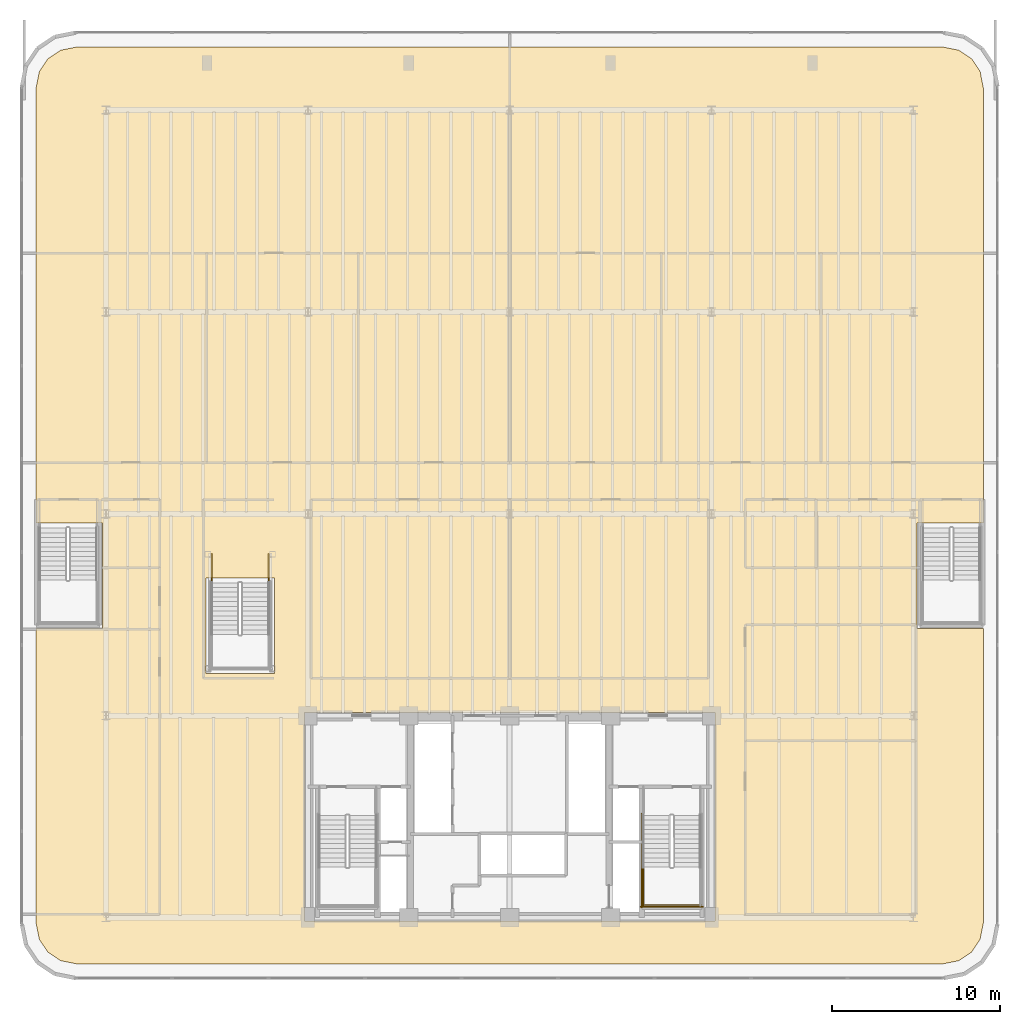
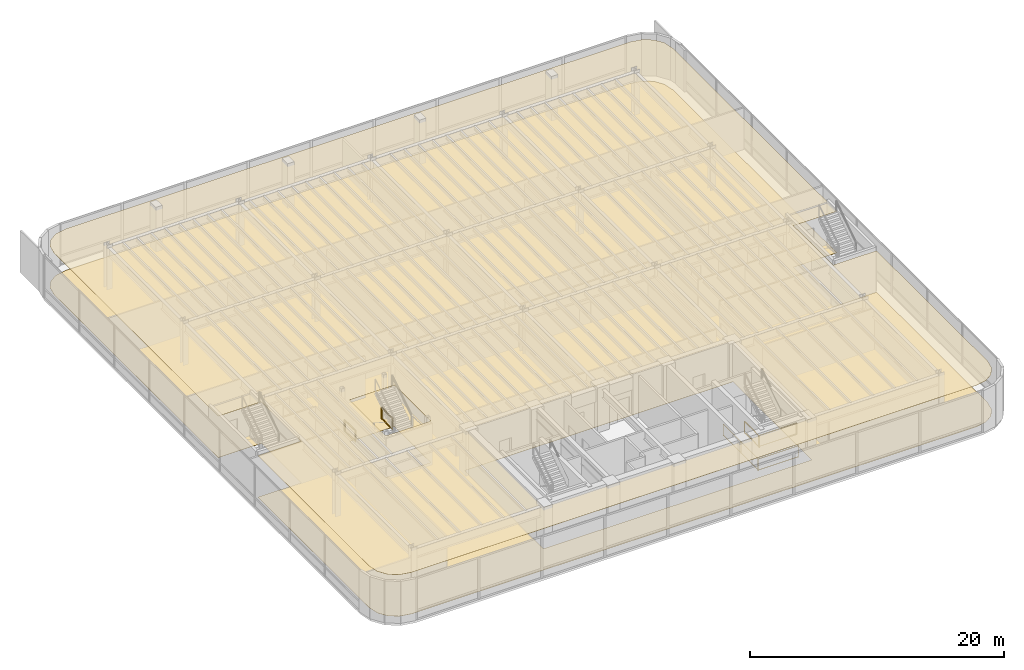
# One storey, part 17 of 18: 6 railings, 2 coverings.
"""IFC4 building model written with IfcOpenShell, lengths in metres."""

from ifc_helpers import new_model, si_unit, direction, frame, origin, origin_2d, place, context, subcontext, project, spatial, polyline, rectangle, outline, extrude, material, layer, layer_set, type_object, element, save


model = new_model("IFC4")

# Units and contexts
model_context = context("Model", 3, precision=1e-05, world=origin(), true_north=direction((0.0, 1.0)))
body_context = subcontext(model_context, "Body", "Model", "MODEL_VIEW")
ifc_project = project(units=[si_unit("LENGTHUNIT", "METRE"), si_unit("AREAUNIT", "SQUARE_METRE"), si_unit("VOLUMEUNIT", "CUBIC_METRE"), si_unit("PLANEANGLEUNIT", "RADIAN"), si_unit("MASSUNIT", "GRAM", prefix="KILO")], contexts=[model_context])

# Site, building, storey
site_placement = place(None, origin())
site = spatial("IfcSite", under=ifc_project, at=site_placement, CompositionType="ELEMENT")
building_placement = place(site_placement, origin())
building = spatial("IfcBuilding", under=site, at=building_placement, Name="Brelvock Crest Care Tower", CompositionType="ELEMENT")
storey_placement = place(building_placement, frame((0.0, 0.0, 5.39990234375)))
storey = spatial("IfcBuildingStorey", under=building, at=storey_placement, Name="L01", CompositionType="ELEMENT", Elevation=5.39990234375)

# Coverings
ifc_material_1 = material(Name="Mineral Fibre Acoustic Ceiling Tile", Category="gypsum")
ifc_layer_1 = layer(ifc_material_1, 0.02490234375, Name="COV-CLG1")
ifc_layer_set_1 = layer_set([ifc_layer_1], Name="Mineral Fibre Acoustic Ceiling Tile")
covering_type_1 = type_object("IfcCoveringType", Name="COV-CLG1", PredefinedType="CEILING", material=ifc_layer_set_1)
covering_1_placement = place(storey_placement, frame((0.0, 0.0, 3.985107421875)))
element("IfcCovering", 1, at=covering_1_placement, inside=storey, type_object=covering_type_1, Name="L01 Acoustic Suspended Ceiling 1", PredefinedType="CEILING", context=body_context, shape_type="SweptSolid", body=[
    extrude(outline(polyline([(61.71630859375, 3.25), (62.69287109375, 3.4443359375), (63.449951171875, 3.9501953125), (63.955810546875, 4.70703125), (64.14990234375, 5.68359375), (64.14990234375, 23.199951171875), (60.2099609375, 23.199951171875), (60.2099609375, 29.449951171875), (64.14990234375, 29.449951171875), (64.14990234375, 55.31640625), (63.955810546875, 56.29296875), (63.449951171875, 57.0498046875), (62.69287109375, 57.5556640625), (61.71630859375, 57.75), (10.28369140625, 57.75), (9.30712890625, 57.5556640625), (8.550048828125, 57.0498046875), (8.044189453125, 56.29296875), (7.85009765625, 55.31640625), (7.85009765625, 29.449951171875), (11.7900390625, 29.449951171875), (11.7900390625, 23.199951171875), (7.85009765625, 23.199951171875), (7.85009765625, 5.68359375), (8.044189453125, 4.70703125), (8.550048828125, 3.9501953125), (9.30712890625, 3.4443359375), (10.28369140625, 3.25), (61.71630859375, 3.25)]), holes=[polyline([(22.02001953125, 20.5), (22.02001953125, 26.199951171875), (17.93994140625, 26.199951171875), (17.93994140625, 20.5), (22.02001953125, 20.5)]), polyline([(48.199951171875, 5.800048828125), (48.199951171875, 18.199951171875), (23.800048828125, 18.199951171875), (23.800048828125, 5.800048828125), (48.199951171875, 5.800048828125)])]), origin(), (0.0, 0.0, 1.0), 0.02490234375),
])
ifc_material_2 = material(Name="Slip-Resistant Acoustic Vinyl Flooring", Category="finish")
ifc_layer_2 = layer(ifc_material_2, 0.014892578125, Name="COV-FLR1")
ifc_layer_set_2 = layer_set([ifc_layer_2], Name="Slip-Resistant Acoustic Vinyl Flooring")
covering_type_2 = type_object("IfcCoveringType", Name="COV-FLR1", PredefinedType="FLOORING", material=ifc_layer_set_2)
covering_2_placement = place(storey_placement, origin())
element("IfcCovering", 2, at=covering_2_placement, inside=storey, type_object=covering_type_2, Name="L01 Slip-Resistant Acoustic Flooring 1", PredefinedType="FLOORING", context=body_context, shape_type="SweptSolid", body=[
    extrude(outline(polyline([(61.71630859375, 3.25), (62.69287109375, 3.4443359375), (63.449951171875, 3.9501953125), (63.955810546875, 4.70703125), (64.14990234375, 5.68359375), (64.14990234375, 23.199951171875), (60.2099609375, 23.199951171875), (60.2099609375, 29.449951171875), (64.14990234375, 29.449951171875), (64.14990234375, 55.31640625), (63.955810546875, 56.29296875), (63.449951171875, 57.0498046875), (62.69287109375, 57.5556640625), (61.71630859375, 57.75), (10.28369140625, 57.75), (9.30712890625, 57.5556640625), (8.550048828125, 57.0498046875), (8.044189453125, 56.29296875), (7.85009765625, 55.31640625), (7.85009765625, 29.449951171875), (11.7900390625, 29.449951171875), (11.7900390625, 23.199951171875), (7.85009765625, 23.199951171875), (7.85009765625, 5.68359375), (8.044189453125, 4.70703125), (8.550048828125, 3.9501953125), (9.30712890625, 3.4443359375), (10.28369140625, 3.25), (61.71630859375, 3.25)]), holes=[polyline([(22.02001953125, 20.5), (22.02001953125, 26.199951171875), (17.93994140625, 26.199951171875), (17.93994140625, 20.5), (22.02001953125, 20.5)]), polyline([(48.199951171875, 5.800048828125), (48.199951171875, 18.199951171875), (23.800048828125, 18.199951171875), (23.800048828125, 5.800048828125), (48.199951171875, 5.800048828125)])]), origin(), (0.0, 0.0, 1.0), 0.01513671875),
])

# Railings
ifc_material_3 = material(Name="Steel Grade 350", Category="steel")
ifc_layer_3 = layer(ifc_material_3, 0.050048828125, Name="RL-STG1")
ifc_layer_set_3 = layer_set([ifc_layer_3], Name="Steel Grade 350")
railing_type = type_object("IfcRailingType", Name="RL-STG1", PredefinedType="GUARDRAIL", material=ifc_layer_set_3)
railing_1_placement = place(storey_placement, frame((43.93994140625, 9.0, 2.16015625)))
element("IfcRailing", 3, at=railing_1_placement, inside=storey, type_object=railing_type, Name="L01 ST-2 stair guard 3", PredefinedType="GUARDRAIL", context=body_context, shape_type="SweptSolid", body=[
    extrude(rectangle(XDim=0.048095703125, YDim=0.048095703125, at=origin_2d()), frame((0.0, -0.001953125, 1.11572265625), z_axis=(0.0, -1.0, 0.0), x_axis=(1.0, 0.0, 0.0)), (0.0, 0.0, 1.0), 2.296142578125),
    extrude(rectangle(XDim=0.048095703125, YDim=0.048095703125, at=origin_2d()), frame((0.0, -0.001953125, 0.054931640625), z_axis=(0.0, -1.0, 0.0), x_axis=(1.0, 0.0, 0.0)), (0.0, 0.0, 1.0), 2.296142578125),
    extrude(rectangle(XDim=0.0419921875, YDim=0.0419921875, at=origin_2d()), origin(), (0.0, 0.0, 1.0), 1.08984375),
    extrude(rectangle(XDim=0.0419921875, YDim=0.0419921875, at=origin_2d()), frame((0.0, -2.300048828125, 0.0)), (0.0, 0.0, 1.0), 1.08984375),
])
railing_2_placement = place(storey_placement, frame((43.889892578125, 6.75, 2.16015625)))
element("IfcRailing", 4, at=railing_2_placement, inside=storey, type_object=railing_type, Name="L01 ST-2 stair guard 5", PredefinedType="GUARDRAIL", context=body_context, shape_type="SweptSolid", body=[
    extrude(rectangle(XDim=0.048095703125, YDim=0.048095703125, at=origin_2d()), frame((0.001953125, 0.0, 1.11572265625), z_axis=(1.0, 0.0, 0.0), x_axis=(0.0, 1.0, 0.0)), (0.0, 0.0, 1.0), 3.476318359375),
    extrude(rectangle(XDim=0.048095703125, YDim=0.048095703125, at=origin_2d()), frame((0.001953125, 0.0, 0.054931640625), z_axis=(1.0, 0.0, 0.0), x_axis=(0.0, 1.0, 0.0)), (0.0, 0.0, 1.0), 3.476318359375),
    extrude(rectangle(XDim=0.0419921875, YDim=0.0419921875, at=origin_2d()), origin(), (0.0, 0.0, 1.0), 1.08984375),
    extrude(rectangle(XDim=0.0419921875, YDim=0.0419921875, at=origin_2d()), frame((3.480224609375, 0.0, 0.0)), (0.0, 0.0, 1.0), 1.08984375),
])
railing_3_placement = place(storey_placement, frame((43.840087890625, 12.179931640625, 0.0)))
element("IfcRailing", 5, at=railing_3_placement, inside=storey, type_object=railing_type, Name="L01 ST-2 stair guard 10", PredefinedType="GUARDRAIL", context=body_context, shape_type="SweptSolid", body=[
    extrude(rectangle(XDim=0.048095703125, YDim=0.048095703125, at=origin_2d()), frame((0.0, -0.001953125, 1.11572265625), z_axis=(0.0, -1.0, 0.0), x_axis=(1.0, 0.0, 0.0)), (0.0, 0.0, 1.0), 5.575927734375),
    extrude(rectangle(XDim=0.048095703125, YDim=0.048095703125, at=origin_2d()), frame((0.0, -0.001953125, 0.054931640625), z_axis=(0.0, -1.0, 0.0), x_axis=(1.0, 0.0, 0.0)), (0.0, 0.0, 1.0), 5.575927734375),
    extrude(rectangle(XDim=0.0419921875, YDim=0.0419921875, at=origin_2d()), origin(), (0.0, 0.0, 1.0), 1.08984375),
    extrude(rectangle(XDim=0.0419921875, YDim=0.0419921875, at=origin_2d()), frame((0.0, -2.7900390625, 0.0)), (0.0, 0.0, 1.0), 1.08984375),
    extrude(rectangle(XDim=0.0419921875, YDim=0.0419921875, at=origin_2d()), frame((0.0, -5.579833984375, 0.0)), (0.0, 0.0, 1.0), 1.08984375),
])
railing_4_placement = place(storey_placement, frame((43.7900390625, 6.64990234375, 0.0)))
element("IfcRailing", 6, at=railing_4_placement, inside=storey, type_object=railing_type, Name="L01 ST-2 stair guard 12", PredefinedType="GUARDRAIL", context=body_context, shape_type="SweptSolid", body=[
    extrude(rectangle(XDim=0.048095703125, YDim=0.048095703125, at=origin_2d()), frame((0.001953125, 0.0, 1.11572265625), z_axis=(1.0, 0.0, 0.0), x_axis=(0.0, 1.0, 0.0)), (0.0, 0.0, 1.0), 3.676025390625),
    extrude(rectangle(XDim=0.048095703125, YDim=0.048095703125, at=origin_2d()), frame((0.001953125, 0.0, 0.054931640625), z_axis=(1.0, 0.0, 0.0), x_axis=(0.0, 1.0, 0.0)), (0.0, 0.0, 1.0), 3.676025390625),
    extrude(rectangle(XDim=0.0419921875, YDim=0.0419921875, at=origin_2d()), origin(), (0.0, 0.0, 1.0), 1.08984375),
    extrude(rectangle(XDim=0.0419921875, YDim=0.0419921875, at=origin_2d()), frame((3.679931640625, 0.0, 0.0)), (0.0, 0.0, 1.0), 1.08984375),
])
for number, where, name in (
    (7, (18.2900390625, 27.60009765625, 0.0), "L01 ST-5 stair guard 8"),
    (8, (21.669921875, 27.60009765625, 0.0), "L01 ST-5 stair guard 9"),
):
    element("IfcRailing", number, at=place(storey_placement, frame(where)), inside=storey, type_object=railing_type, Name=name, PredefinedType="GUARDRAIL", context=body_context, shape_type="SweptSolid", body=[
        extrude(rectangle(XDim=0.048095703125, YDim=0.048095703125, at=origin_2d()), frame((0.0, -0.001953125, 1.11572265625), z_axis=(0.0, -1.0, 0.0), x_axis=(1.0, 0.0, 0.0)), (0.0, 0.0, 1.0), 1.6962890625),
        extrude(rectangle(XDim=0.048095703125, YDim=0.048095703125, at=origin_2d()), frame((0.0, -0.001953125, 0.054931640625), z_axis=(0.0, -1.0, 0.0), x_axis=(1.0, 0.0, 0.0)), (0.0, 0.0, 1.0), 1.6962890625),
        extrude(rectangle(XDim=0.0419921875, YDim=0.0419921875, at=origin_2d()), origin(), (0.0, 0.0, 1.0), 1.08984375),
        extrude(rectangle(XDim=0.0419921875, YDim=0.0419921875, at=origin_2d()), frame((0.0, -1.7001953125, 0.0)), (0.0, 0.0, 1.0), 1.08984375),
    ])

save(model, "model.ifc")
